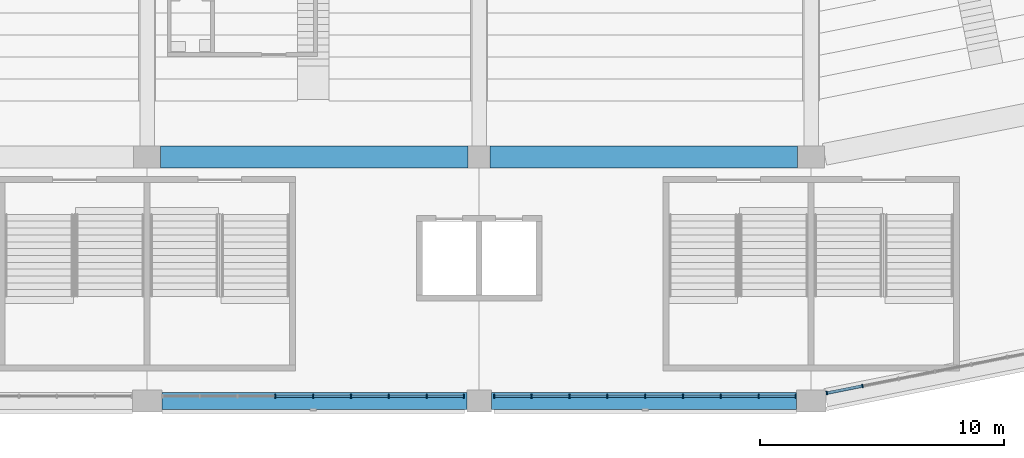
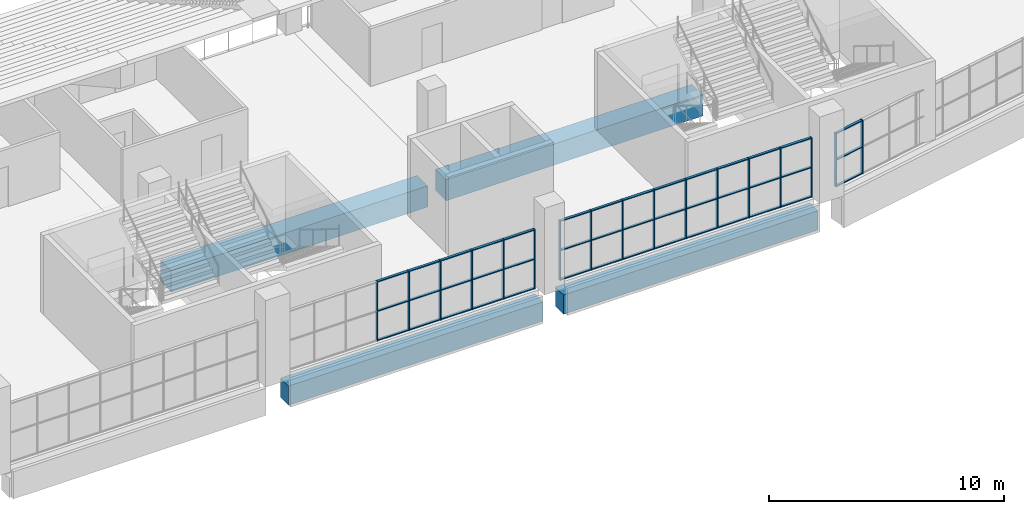
# One storey, part 15 of 249: 59 members, 4 beams, 3 elements without a shape of their own.
"""IFC4 building model written with IfcOpenShell, lengths in metres."""

from ifc_helpers import new_model, si_unit, direction, frame, origin, origin_2d, place, context, subcontext, project, spatial, rectangle, extrude, material, material_profile, profile_set, type_object, element, aggregate, save


model = new_model("IFC4")

# Units and contexts
model_context = context("Model", 3, precision=1e-05, world=origin(), true_north=direction((0.0, 1.0)))
body_context = subcontext(model_context, "Body", "Model", "MODEL_VIEW")
ifc_project = project(units=[si_unit("LENGTHUNIT", "METRE"), si_unit("AREAUNIT", "SQUARE_METRE"), si_unit("VOLUMEUNIT", "CUBIC_METRE"), si_unit("PLANEANGLEUNIT", "RADIAN"), si_unit("MASSUNIT", "GRAM", prefix="KILO")], contexts=[model_context])

# Site, building, storey
site_placement = place(None, origin())
site = spatial("IfcSite", under=ifc_project, at=site_placement, CompositionType="ELEMENT")
building_placement = place(site_placement, origin())
building = spatial("IfcBuilding", under=site, at=building_placement, Name="Ogive Plaza Stadium", CompositionType="ELEMENT")
storey_placement = place(building_placement, frame((0.0, 0.0, 13.5)))
storey = spatial("IfcBuildingStorey", under=building, at=storey_placement, Name="L03", CompositionType="ELEMENT", Elevation=13.5)

# Curtain wall, members
ifc_material_1 = material(Name="Bronze-anodised aluminium with laminated glass", Category="aluminium")
curtain_wall_type = type_object("IfcCurtainWallType", Name="Lancet curtain wall", PredefinedType="NOTDEFINED", material=ifc_material_1)
curtain_wall_1_placement = place(storey_placement, origin())
curtain_wall_1 = element("IfcCurtainWall", 1, at=curtain_wall_1_placement, inside=storey, type_object=curtain_wall_type, Name="CURTAIN WALL B11 L03", PredefinedType="NOTDEFINED")
ifc_material_2 = material(Name="Bronze-anodised aluminium", Category="aluminium")
ifc_material_profile_1 = material_profile(ifc_material_2, rectangle(XDim=0.14990234375, YDim=0.050048828125, at=origin_2d()), Name="AL 150x50")
ifc_profile_set_1 = profile_set([ifc_material_profile_1], Name="Bronze-anodised aluminium")
member_type_1 = type_object("IfcMemberType", Name="Curtain wall mullion 50x150", PredefinedType="MULLION", material=ifc_profile_set_1)
member_1_placement = place(storey_placement, frame((36.104248046875, -101.87744140625, 0.0), z_axis=(0.0, 0.0, 1.0), x_axis=(0.195090322016, -0.980785280403, 0.0)))
member_1 = element("IfcMember", 2, at=member_1_placement, type_object=member_type_1, Name="CW-B11-L03 mullion 12", PredefinedType="MULLION", context=body_context, shape_type="SweptSolid", body=[
    extrude(rectangle(XDim=0.14990234375, YDim=0.050048828125, at=origin_2d()), origin(), (0.0, 0.0, 1.0), 2.7900390625),
])
member_2_placement = place(storey_placement, frame((34.64404296875, -102.16796875, 0.0), z_axis=(0.0, 0.0, 1.0), x_axis=(0.195090322016, -0.980785280403, 0.0)))
member_2 = element("IfcMember", 3, at=member_2_placement, type_object=member_type_1, Name="CW-B11-L03 mullion 13", PredefinedType="MULLION", context=body_context, shape_type="SweptSolid", body=[
    extrude(rectangle(XDim=0.14990234375, YDim=0.050048828125, at=origin_2d()), origin(), (0.0, 0.0, 1.0), 2.7900390625),
])

curtain_wall_2_placement = place(storey_placement, origin())
curtain_wall_2 = element("IfcCurtainWall", 4, at=curtain_wall_2_placement, inside=storey, type_object=curtain_wall_type, Name="CURTAIN WALL B12 L03", PredefinedType="NOTDEFINED")
member_3_placement = place(storey_placement, frame((33.375, -102.300048828125, 0.0), z_axis=(0.0, 0.0, 1.0), x_axis=(0.0, -1.0, 0.0)))
member_3 = element("IfcMember", 5, at=member_3_placement, type_object=member_type_1, Name="CW-B12-L03 mullion 1", PredefinedType="MULLION", context=body_context, shape_type="SweptSolid", body=[
    extrude(rectangle(XDim=0.14990234375, YDim=0.050048828125, at=origin_2d()), origin(), (0.0, 0.0, 1.0), 3.090087890625),
])
member_4_placement = place(storey_placement, frame((31.85009765625, -102.300048828125, 0.0), z_axis=(0.0, 0.0, 1.0), x_axis=(0.0, -1.0, 0.0)))
member_4 = element("IfcMember", 6, at=member_4_placement, type_object=member_type_1, Name="CW-B12-L03 mullion 2", PredefinedType="MULLION", context=body_context, shape_type="SweptSolid", body=[
    extrude(rectangle(XDim=0.14990234375, YDim=0.050048828125, at=origin_2d()), origin(), (0.0, 0.0, 1.0), 3.090087890625),
])
member_5_placement = place(storey_placement, frame((30.300048828125, -102.300048828125, 0.0), z_axis=(0.0, 0.0, 1.0), x_axis=(0.0, -1.0, 0.0)))
member_5 = element("IfcMember", 7, at=member_5_placement, type_object=member_type_1, Name="CW-B12-L03 mullion 3", PredefinedType="MULLION", context=body_context, shape_type="SweptSolid", body=[
    extrude(rectangle(XDim=0.14990234375, YDim=0.050048828125, at=origin_2d()), origin(), (0.0, 0.0, 1.0), 3.090087890625),
])
member_6_placement = place(storey_placement, frame((28.75, -102.300048828125, 0.0), z_axis=(0.0, 0.0, 1.0), x_axis=(0.0, -1.0, 0.0)))
member_6 = element("IfcMember", 8, at=member_6_placement, type_object=member_type_1, Name="CW-B12-L03 mullion 4", PredefinedType="MULLION", context=body_context, shape_type="SweptSolid", body=[
    extrude(rectangle(XDim=0.14990234375, YDim=0.050048828125, at=origin_2d()), origin(), (0.0, 0.0, 1.0), 3.090087890625),
])
member_7_placement = place(storey_placement, frame((27.199951171875, -102.300048828125, 0.0), z_axis=(0.0, 0.0, 1.0), x_axis=(0.0, -1.0, 0.0)))
member_7 = element("IfcMember", 9, at=member_7_placement, type_object=member_type_1, Name="CW-B12-L03 mullion 5", PredefinedType="MULLION", context=body_context, shape_type="SweptSolid", body=[
    extrude(rectangle(XDim=0.14990234375, YDim=0.050048828125, at=origin_2d()), origin(), (0.0, 0.0, 1.0), 3.090087890625),
])
member_8_placement = place(storey_placement, frame((25.64990234375, -102.300048828125, 0.0), z_axis=(0.0, 0.0, 1.0), x_axis=(0.0, -1.0, 0.0)))
member_8 = element("IfcMember", 10, at=member_8_placement, type_object=member_type_1, Name="CW-B12-L03 mullion 6", PredefinedType="MULLION", context=body_context, shape_type="SweptSolid", body=[
    extrude(rectangle(XDim=0.14990234375, YDim=0.050048828125, at=origin_2d()), origin(), (0.0, 0.0, 1.0), 3.090087890625),
])
member_9_placement = place(storey_placement, frame((24.10009765625, -102.300048828125, 0.0), z_axis=(0.0, 0.0, 1.0), x_axis=(0.0, -1.0, 0.0)))
member_9 = element("IfcMember", 11, at=member_9_placement, type_object=member_type_1, Name="CW-B12-L03 mullion 7", PredefinedType="MULLION", context=body_context, shape_type="SweptSolid", body=[
    extrude(rectangle(XDim=0.14990234375, YDim=0.050048828125, at=origin_2d()), origin(), (0.0, 0.0, 1.0), 3.090087890625),
])
member_10_placement = place(storey_placement, frame((22.550048828125, -102.300048828125, 0.0), z_axis=(0.0, 0.0, 1.0), x_axis=(0.0, -1.0, 0.0)))
member_10 = element("IfcMember", 12, at=member_10_placement, type_object=member_type_1, Name="CW-B12-L03 mullion 8", PredefinedType="MULLION", context=body_context, shape_type="SweptSolid", body=[
    extrude(rectangle(XDim=0.14990234375, YDim=0.050048828125, at=origin_2d()), origin(), (0.0, 0.0, 1.0), 3.090087890625),
])
member_11_placement = place(storey_placement, frame((21.02490234375, -102.300048828125, 0.0), z_axis=(0.0, 0.0, 1.0), x_axis=(0.0, -1.0, 0.0)))
member_11 = element("IfcMember", 13, at=member_11_placement, type_object=member_type_1, Name="CW-B12-L03 mullion 9", PredefinedType="MULLION", context=body_context, shape_type="SweptSolid", body=[
    extrude(rectangle(XDim=0.14990234375, YDim=0.050048828125, at=origin_2d()), origin(), (0.0, 0.0, 1.0), 3.090087890625),
])

curtain_wall_3_placement = place(storey_placement, origin())
curtain_wall_3 = element("IfcCurtainWall", 14, at=curtain_wall_3_placement, inside=storey, type_object=curtain_wall_type, Name="CURTAIN WALL B13 L03", PredefinedType="NOTDEFINED")
member_12_placement = place(storey_placement, frame((19.77490234375, -102.300048828125, 0.0), z_axis=(0.0, 0.0, 1.0), x_axis=(0.0, -1.0, 0.0)))
member_12 = element("IfcMember", 15, at=member_12_placement, type_object=member_type_1, Name="CW-B13-L03 mullion 1", PredefinedType="MULLION", context=body_context, shape_type="SweptSolid", body=[
    extrude(rectangle(XDim=0.14990234375, YDim=0.050048828125, at=origin_2d()), origin(), (0.0, 0.0, 1.0), 3.090087890625),
])
member_13_placement = place(storey_placement, frame((18.25, -102.300048828125, 0.0), z_axis=(0.0, 0.0, 1.0), x_axis=(0.0, -1.0, 0.0)))
member_13 = element("IfcMember", 16, at=member_13_placement, type_object=member_type_1, Name="CW-B13-L03 mullion 2", PredefinedType="MULLION", context=body_context, shape_type="SweptSolid", body=[
    extrude(rectangle(XDim=0.14990234375, YDim=0.050048828125, at=origin_2d()), origin(), (0.0, 0.0, 1.0), 3.090087890625),
])
member_14_placement = place(storey_placement, frame((16.699951171875, -102.300048828125, 0.0), z_axis=(0.0, 0.0, 1.0), x_axis=(0.0, -1.0, 0.0)))
member_14 = element("IfcMember", 17, at=member_14_placement, type_object=member_type_1, Name="CW-B13-L03 mullion 3", PredefinedType="MULLION", context=body_context, shape_type="SweptSolid", body=[
    extrude(rectangle(XDim=0.14990234375, YDim=0.050048828125, at=origin_2d()), origin(), (0.0, 0.0, 1.0), 3.090087890625),
])
member_15_placement = place(storey_placement, frame((15.14990234375, -102.300048828125, 0.0), z_axis=(0.0, 0.0, 1.0), x_axis=(0.0, -1.0, 0.0)))
member_15 = element("IfcMember", 18, at=member_15_placement, type_object=member_type_1, Name="CW-B13-L03 mullion 4", PredefinedType="MULLION", context=body_context, shape_type="SweptSolid", body=[
    extrude(rectangle(XDim=0.14990234375, YDim=0.050048828125, at=origin_2d()), origin(), (0.0, 0.0, 1.0), 3.090087890625),
])
member_16_placement = place(storey_placement, frame((13.60009765625, -102.300048828125, 0.0), z_axis=(0.0, 0.0, 1.0), x_axis=(0.0, -1.0, 0.0)))
member_16 = element("IfcMember", 19, at=member_16_placement, type_object=member_type_1, Name="CW-B13-L03 mullion 5", PredefinedType="MULLION", context=body_context, shape_type="SweptSolid", body=[
    extrude(rectangle(XDim=0.14990234375, YDim=0.050048828125, at=origin_2d()), origin(), (0.0, 0.0, 1.0), 3.090087890625),
])
member_17_placement = place(storey_placement, frame((12.050048828125, -102.300048828125, 0.0), z_axis=(0.0, 0.0, 1.0), x_axis=(0.0, -1.0, 0.0)))
member_17 = element("IfcMember", 20, at=member_17_placement, type_object=member_type_1, Name="CW-B13-L03 mullion 6", PredefinedType="MULLION", context=body_context, shape_type="SweptSolid", body=[
    extrude(rectangle(XDim=0.14990234375, YDim=0.050048828125, at=origin_2d()), origin(), (0.0, 0.0, 1.0), 3.090087890625),
])

# Member
ifc_material_3 = material(Name="Bronze-anodised aluminium", Category="aluminium")
ifc_material_profile_2 = material_profile(ifc_material_3, rectangle(XDim=0.1201171875, YDim=0.050048828125, at=origin_2d()), Name="AL 120x50")
ifc_profile_set_2 = profile_set([ifc_material_profile_2], Name="Bronze-anodised aluminium")
member_type_2 = type_object("IfcMemberType", Name="Curtain wall transom 50x120", PredefinedType="USERDEFINED", material=ifc_profile_set_2)
member_18_placement = place(storey_placement, frame((36.079833984375, -101.88232421875, 0.02490234375), z_axis=(-0.980782436465, -0.195104618913, 0.0), x_axis=(0.195104618913, -0.980782436465, 0.0)))
member_18 = element("IfcMember", 21, at=member_18_placement, type_object=member_type_2, Name="CW-B11-L03 transom 12.1", ObjectType="TRANSOM", PredefinedType="USERDEFINED", context=body_context, shape_type="SweptSolid", body=[
    extrude(rectangle(XDim=0.1201171875, YDim=0.050048828125, at=origin_2d()), origin(), (0.0, 0.0, 1.0), 1.43896484375),
])

member_19_placement = place(storey_placement, frame((36.079833984375, -101.88232421875, 1.39501953125), z_axis=(-0.980782436465, -0.195104618913, 0.0), x_axis=(0.195104618913, -0.980782436465, 0.0)))
member_19 = element("IfcMember", 22, at=member_19_placement, type_object=member_type_2, Name="CW-B11-L03 transom 12.2", ObjectType="TRANSOM", PredefinedType="USERDEFINED", context=body_context, shape_type="SweptSolid", body=[
    extrude(rectangle(XDim=0.1201171875, YDim=0.050048828125, at=origin_2d()), origin(), (0.0, 0.0, 1.0), 1.43896484375),
])

member_20_placement = place(storey_placement, frame((36.079833984375, -101.88232421875, 2.764892578125), z_axis=(-0.980782436465, -0.195104618913, 0.0), x_axis=(0.195104618913, -0.980782436465, 0.0)))
member_20 = element("IfcMember", 23, at=member_20_placement, type_object=member_type_2, Name="CW-B11-L03 transom 12.3", ObjectType="TRANSOM", PredefinedType="USERDEFINED", context=body_context, shape_type="SweptSolid", body=[
    extrude(rectangle(XDim=0.1201171875, YDim=0.050048828125, at=origin_2d()), origin(), (0.0, 0.0, 1.0), 1.43896484375),
])

aggregate(curtain_wall_1, [member_1, member_2, member_18, member_19, member_20])

member_21_placement = place(storey_placement, frame((33.35009765625, -102.300048828125, 0.02490234375), z_axis=(-1.0, 0.0, 0.0), x_axis=(0.0, -1.0, 0.0)))
member_21 = element("IfcMember", 24, at=member_21_placement, type_object=member_type_2, Name="CW-B12-L03 transom 1.1", ObjectType="TRANSOM", PredefinedType="USERDEFINED", context=body_context, shape_type="SweptSolid", body=[
    extrude(rectangle(XDim=0.1201171875, YDim=0.050048828125, at=origin_2d()), origin(), (0.0, 0.0, 1.0), 1.47509765625),
])

member_22_placement = place(storey_placement, frame((33.35009765625, -102.300048828125, 1.544921875), z_axis=(-1.0, 0.0, 0.0), x_axis=(0.0, -1.0, 0.0)))
member_22 = element("IfcMember", 25, at=member_22_placement, type_object=member_type_2, Name="CW-B12-L03 transom 1.2", ObjectType="TRANSOM", PredefinedType="USERDEFINED", context=body_context, shape_type="SweptSolid", body=[
    extrude(rectangle(XDim=0.1201171875, YDim=0.050048828125, at=origin_2d()), origin(), (0.0, 0.0, 1.0), 1.47509765625),
])

member_23_placement = place(storey_placement, frame((33.35009765625, -102.300048828125, 3.06494140625), z_axis=(-1.0, 0.0, 0.0), x_axis=(0.0, -1.0, 0.0)))
member_23 = element("IfcMember", 26, at=member_23_placement, type_object=member_type_2, Name="CW-B12-L03 transom 1.3", ObjectType="TRANSOM", PredefinedType="USERDEFINED", context=body_context, shape_type="SweptSolid", body=[
    extrude(rectangle(XDim=0.1201171875, YDim=0.050048828125, at=origin_2d()), origin(), (0.0, 0.0, 1.0), 1.47509765625),
])

member_24_placement = place(storey_placement, frame((31.824951171875, -102.300048828125, 0.02490234375), z_axis=(-1.0, 0.0, 0.0), x_axis=(0.0, -1.0, 0.0)))
member_24 = element("IfcMember", 27, at=member_24_placement, type_object=member_type_2, Name="CW-B12-L03 transom 2.1", ObjectType="TRANSOM", PredefinedType="USERDEFINED", context=body_context, shape_type="SweptSolid", body=[
    extrude(rectangle(XDim=0.1201171875, YDim=0.050048828125, at=origin_2d()), origin(), (0.0, 0.0, 1.0), 1.5),
])

member_25_placement = place(storey_placement, frame((31.824951171875, -102.300048828125, 1.544921875), z_axis=(-1.0, 0.0, 0.0), x_axis=(0.0, -1.0, 0.0)))
member_25 = element("IfcMember", 28, at=member_25_placement, type_object=member_type_2, Name="CW-B12-L03 transom 2.2", ObjectType="TRANSOM", PredefinedType="USERDEFINED", context=body_context, shape_type="SweptSolid", body=[
    extrude(rectangle(XDim=0.1201171875, YDim=0.050048828125, at=origin_2d()), origin(), (0.0, 0.0, 1.0), 1.5),
])

member_26_placement = place(storey_placement, frame((31.824951171875, -102.300048828125, 3.06494140625), z_axis=(-1.0, 0.0, 0.0), x_axis=(0.0, -1.0, 0.0)))
member_26 = element("IfcMember", 29, at=member_26_placement, type_object=member_type_2, Name="CW-B12-L03 transom 2.3", ObjectType="TRANSOM", PredefinedType="USERDEFINED", context=body_context, shape_type="SweptSolid", body=[
    extrude(rectangle(XDim=0.1201171875, YDim=0.050048828125, at=origin_2d()), origin(), (0.0, 0.0, 1.0), 1.5),
])

member_27_placement = place(storey_placement, frame((30.27490234375, -102.300048828125, 0.02490234375), z_axis=(-1.0, 0.0, 0.0), x_axis=(0.0, -1.0, 0.0)))
member_27 = element("IfcMember", 30, at=member_27_placement, type_object=member_type_2, Name="CW-B12-L03 transom 3.1", ObjectType="TRANSOM", PredefinedType="USERDEFINED", context=body_context, shape_type="SweptSolid", body=[
    extrude(rectangle(XDim=0.1201171875, YDim=0.050048828125, at=origin_2d()), origin(), (0.0, 0.0, 1.0), 1.5),
])

member_28_placement = place(storey_placement, frame((30.27490234375, -102.300048828125, 1.544921875), z_axis=(-1.0, 0.0, 0.0), x_axis=(0.0, -1.0, 0.0)))
member_28 = element("IfcMember", 31, at=member_28_placement, type_object=member_type_2, Name="CW-B12-L03 transom 3.2", ObjectType="TRANSOM", PredefinedType="USERDEFINED", context=body_context, shape_type="SweptSolid", body=[
    extrude(rectangle(XDim=0.1201171875, YDim=0.050048828125, at=origin_2d()), origin(), (0.0, 0.0, 1.0), 1.5),
])

member_29_placement = place(storey_placement, frame((30.27490234375, -102.300048828125, 3.06494140625), z_axis=(-1.0, 0.0, 0.0), x_axis=(0.0, -1.0, 0.0)))
member_29 = element("IfcMember", 32, at=member_29_placement, type_object=member_type_2, Name="CW-B12-L03 transom 3.3", ObjectType="TRANSOM", PredefinedType="USERDEFINED", context=body_context, shape_type="SweptSolid", body=[
    extrude(rectangle(XDim=0.1201171875, YDim=0.050048828125, at=origin_2d()), origin(), (0.0, 0.0, 1.0), 1.5),
])

member_30_placement = place(storey_placement, frame((28.72509765625, -102.300048828125, 0.02490234375), z_axis=(-1.0, 0.0, 0.0), x_axis=(0.0, -1.0, 0.0)))
member_30 = element("IfcMember", 33, at=member_30_placement, type_object=member_type_2, Name="CW-B12-L03 transom 4.1", ObjectType="TRANSOM", PredefinedType="USERDEFINED", context=body_context, shape_type="SweptSolid", body=[
    extrude(rectangle(XDim=0.1201171875, YDim=0.050048828125, at=origin_2d()), origin(), (0.0, 0.0, 1.0), 1.5),
])

member_31_placement = place(storey_placement, frame((28.72509765625, -102.300048828125, 1.544921875), z_axis=(-1.0, 0.0, 0.0), x_axis=(0.0, -1.0, 0.0)))
member_31 = element("IfcMember", 34, at=member_31_placement, type_object=member_type_2, Name="CW-B12-L03 transom 4.2", ObjectType="TRANSOM", PredefinedType="USERDEFINED", context=body_context, shape_type="SweptSolid", body=[
    extrude(rectangle(XDim=0.1201171875, YDim=0.050048828125, at=origin_2d()), origin(), (0.0, 0.0, 1.0), 1.5),
])

member_32_placement = place(storey_placement, frame((28.72509765625, -102.300048828125, 3.06494140625), z_axis=(-1.0, 0.0, 0.0), x_axis=(0.0, -1.0, 0.0)))
member_32 = element("IfcMember", 35, at=member_32_placement, type_object=member_type_2, Name="CW-B12-L03 transom 4.3", ObjectType="TRANSOM", PredefinedType="USERDEFINED", context=body_context, shape_type="SweptSolid", body=[
    extrude(rectangle(XDim=0.1201171875, YDim=0.050048828125, at=origin_2d()), origin(), (0.0, 0.0, 1.0), 1.5),
])

member_33_placement = place(storey_placement, frame((27.175048828125, -102.300048828125, 0.02490234375), z_axis=(-1.0, 0.0, 0.0), x_axis=(0.0, -1.0, 0.0)))
member_33 = element("IfcMember", 36, at=member_33_placement, type_object=member_type_2, Name="CW-B12-L03 transom 5.1", ObjectType="TRANSOM", PredefinedType="USERDEFINED", context=body_context, shape_type="SweptSolid", body=[
    extrude(rectangle(XDim=0.1201171875, YDim=0.050048828125, at=origin_2d()), origin(), (0.0, 0.0, 1.0), 1.5),
])

member_34_placement = place(storey_placement, frame((27.175048828125, -102.300048828125, 1.544921875), z_axis=(-1.0, 0.0, 0.0), x_axis=(0.0, -1.0, 0.0)))
member_34 = element("IfcMember", 37, at=member_34_placement, type_object=member_type_2, Name="CW-B12-L03 transom 5.2", ObjectType="TRANSOM", PredefinedType="USERDEFINED", context=body_context, shape_type="SweptSolid", body=[
    extrude(rectangle(XDim=0.1201171875, YDim=0.050048828125, at=origin_2d()), origin(), (0.0, 0.0, 1.0), 1.5),
])

member_35_placement = place(storey_placement, frame((27.175048828125, -102.300048828125, 3.06494140625), z_axis=(-1.0, 0.0, 0.0), x_axis=(0.0, -1.0, 0.0)))
member_35 = element("IfcMember", 38, at=member_35_placement, type_object=member_type_2, Name="CW-B12-L03 transom 5.3", ObjectType="TRANSOM", PredefinedType="USERDEFINED", context=body_context, shape_type="SweptSolid", body=[
    extrude(rectangle(XDim=0.1201171875, YDim=0.050048828125, at=origin_2d()), origin(), (0.0, 0.0, 1.0), 1.5),
])

member_36_placement = place(storey_placement, frame((25.625, -102.300048828125, 0.02490234375), z_axis=(-1.0, 0.0, 0.0), x_axis=(0.0, -1.0, 0.0)))
member_36 = element("IfcMember", 39, at=member_36_placement, type_object=member_type_2, Name="CW-B12-L03 transom 6.1", ObjectType="TRANSOM", PredefinedType="USERDEFINED", context=body_context, shape_type="SweptSolid", body=[
    extrude(rectangle(XDim=0.1201171875, YDim=0.050048828125, at=origin_2d()), origin(), (0.0, 0.0, 1.0), 1.5),
])

member_37_placement = place(storey_placement, frame((25.625, -102.300048828125, 1.544921875), z_axis=(-1.0, 0.0, 0.0), x_axis=(0.0, -1.0, 0.0)))
member_37 = element("IfcMember", 40, at=member_37_placement, type_object=member_type_2, Name="CW-B12-L03 transom 6.2", ObjectType="TRANSOM", PredefinedType="USERDEFINED", context=body_context, shape_type="SweptSolid", body=[
    extrude(rectangle(XDim=0.1201171875, YDim=0.050048828125, at=origin_2d()), origin(), (0.0, 0.0, 1.0), 1.5),
])

member_38_placement = place(storey_placement, frame((25.625, -102.300048828125, 3.06494140625), z_axis=(-1.0, 0.0, 0.0), x_axis=(0.0, -1.0, 0.0)))
member_38 = element("IfcMember", 41, at=member_38_placement, type_object=member_type_2, Name="CW-B12-L03 transom 6.3", ObjectType="TRANSOM", PredefinedType="USERDEFINED", context=body_context, shape_type="SweptSolid", body=[
    extrude(rectangle(XDim=0.1201171875, YDim=0.050048828125, at=origin_2d()), origin(), (0.0, 0.0, 1.0), 1.5),
])

member_39_placement = place(storey_placement, frame((24.074951171875, -102.300048828125, 0.02490234375), z_axis=(-1.0, 0.0, 0.0), x_axis=(0.0, -1.0, 0.0)))
member_39 = element("IfcMember", 42, at=member_39_placement, type_object=member_type_2, Name="CW-B12-L03 transom 7.1", ObjectType="TRANSOM", PredefinedType="USERDEFINED", context=body_context, shape_type="SweptSolid", body=[
    extrude(rectangle(XDim=0.1201171875, YDim=0.050048828125, at=origin_2d()), origin(), (0.0, 0.0, 1.0), 1.5),
])

member_40_placement = place(storey_placement, frame((24.074951171875, -102.300048828125, 1.544921875), z_axis=(-1.0, 0.0, 0.0), x_axis=(0.0, -1.0, 0.0)))
member_40 = element("IfcMember", 43, at=member_40_placement, type_object=member_type_2, Name="CW-B12-L03 transom 7.2", ObjectType="TRANSOM", PredefinedType="USERDEFINED", context=body_context, shape_type="SweptSolid", body=[
    extrude(rectangle(XDim=0.1201171875, YDim=0.050048828125, at=origin_2d()), origin(), (0.0, 0.0, 1.0), 1.5),
])

member_41_placement = place(storey_placement, frame((24.074951171875, -102.300048828125, 3.06494140625), z_axis=(-1.0, 0.0, 0.0), x_axis=(0.0, -1.0, 0.0)))
member_41 = element("IfcMember", 44, at=member_41_placement, type_object=member_type_2, Name="CW-B12-L03 transom 7.3", ObjectType="TRANSOM", PredefinedType="USERDEFINED", context=body_context, shape_type="SweptSolid", body=[
    extrude(rectangle(XDim=0.1201171875, YDim=0.050048828125, at=origin_2d()), origin(), (0.0, 0.0, 1.0), 1.5),
])

member_42_placement = place(storey_placement, frame((22.52490234375, -102.300048828125, 0.02490234375), z_axis=(-1.0, 0.0, 0.0), x_axis=(0.0, -1.0, 0.0)))
member_42 = element("IfcMember", 45, at=member_42_placement, type_object=member_type_2, Name="CW-B12-L03 transom 8.1", ObjectType="TRANSOM", PredefinedType="USERDEFINED", context=body_context, shape_type="SweptSolid", body=[
    extrude(rectangle(XDim=0.1201171875, YDim=0.050048828125, at=origin_2d()), origin(), (0.0, 0.0, 1.0), 1.474853515625),
])

member_43_placement = place(storey_placement, frame((22.52490234375, -102.300048828125, 1.544921875), z_axis=(-1.0, 0.0, 0.0), x_axis=(0.0, -1.0, 0.0)))
member_43 = element("IfcMember", 46, at=member_43_placement, type_object=member_type_2, Name="CW-B12-L03 transom 8.2", ObjectType="TRANSOM", PredefinedType="USERDEFINED", context=body_context, shape_type="SweptSolid", body=[
    extrude(rectangle(XDim=0.1201171875, YDim=0.050048828125, at=origin_2d()), origin(), (0.0, 0.0, 1.0), 1.474853515625),
])

member_44_placement = place(storey_placement, frame((22.52490234375, -102.300048828125, 3.06494140625), z_axis=(-1.0, 0.0, 0.0), x_axis=(0.0, -1.0, 0.0)))
member_44 = element("IfcMember", 47, at=member_44_placement, type_object=member_type_2, Name="CW-B12-L03 transom 8.3", ObjectType="TRANSOM", PredefinedType="USERDEFINED", context=body_context, shape_type="SweptSolid", body=[
    extrude(rectangle(XDim=0.1201171875, YDim=0.050048828125, at=origin_2d()), origin(), (0.0, 0.0, 1.0), 1.474853515625),
])

aggregate(curtain_wall_2, [member_3, member_4, member_5, member_6, member_7, member_8, member_9, member_10, member_11, member_21, member_22, member_23, member_24, member_25, member_26, member_27, member_28, member_29, member_30, member_31, member_32, member_33, member_34, member_35, member_36, member_37, member_38, member_39, member_40, member_41, member_42, member_43, member_44])

member_45_placement = place(storey_placement, frame((19.75, -102.300048828125, 0.02490234375), z_axis=(-1.0, 0.0, 0.0), x_axis=(0.0, -1.0, 0.0)))
member_45 = element("IfcMember", 48, at=member_45_placement, type_object=member_type_2, Name="CW-B13-L03 transom 1.1", ObjectType="TRANSOM", PredefinedType="USERDEFINED", context=body_context, shape_type="SweptSolid", body=[
    extrude(rectangle(XDim=0.1201171875, YDim=0.050048828125, at=origin_2d()), origin(), (0.0, 0.0, 1.0), 1.47509765625),
])

member_46_placement = place(storey_placement, frame((19.75, -102.300048828125, 1.544921875), z_axis=(-1.0, 0.0, 0.0), x_axis=(0.0, -1.0, 0.0)))
member_46 = element("IfcMember", 49, at=member_46_placement, type_object=member_type_2, Name="CW-B13-L03 transom 1.2", ObjectType="TRANSOM", PredefinedType="USERDEFINED", context=body_context, shape_type="SweptSolid", body=[
    extrude(rectangle(XDim=0.1201171875, YDim=0.050048828125, at=origin_2d()), origin(), (0.0, 0.0, 1.0), 1.47509765625),
])

member_47_placement = place(storey_placement, frame((19.75, -102.300048828125, 3.06494140625), z_axis=(-1.0, 0.0, 0.0), x_axis=(0.0, -1.0, 0.0)))
member_47 = element("IfcMember", 50, at=member_47_placement, type_object=member_type_2, Name="CW-B13-L03 transom 1.3", ObjectType="TRANSOM", PredefinedType="USERDEFINED", context=body_context, shape_type="SweptSolid", body=[
    extrude(rectangle(XDim=0.1201171875, YDim=0.050048828125, at=origin_2d()), origin(), (0.0, 0.0, 1.0), 1.47509765625),
])

member_48_placement = place(storey_placement, frame((18.22509765625, -102.300048828125, 0.02490234375), z_axis=(-1.0, 0.0, 0.0), x_axis=(0.0, -1.0, 0.0)))
member_48 = element("IfcMember", 51, at=member_48_placement, type_object=member_type_2, Name="CW-B13-L03 transom 2.1", ObjectType="TRANSOM", PredefinedType="USERDEFINED", context=body_context, shape_type="SweptSolid", body=[
    extrude(rectangle(XDim=0.1201171875, YDim=0.050048828125, at=origin_2d()), origin(), (0.0, 0.0, 1.0), 1.5),
])

member_49_placement = place(storey_placement, frame((18.22509765625, -102.300048828125, 1.544921875), z_axis=(-1.0, 0.0, 0.0), x_axis=(0.0, -1.0, 0.0)))
member_49 = element("IfcMember", 52, at=member_49_placement, type_object=member_type_2, Name="CW-B13-L03 transom 2.2", ObjectType="TRANSOM", PredefinedType="USERDEFINED", context=body_context, shape_type="SweptSolid", body=[
    extrude(rectangle(XDim=0.1201171875, YDim=0.050048828125, at=origin_2d()), origin(), (0.0, 0.0, 1.0), 1.5),
])

member_50_placement = place(storey_placement, frame((18.22509765625, -102.300048828125, 3.06494140625), z_axis=(-1.0, 0.0, 0.0), x_axis=(0.0, -1.0, 0.0)))
member_50 = element("IfcMember", 53, at=member_50_placement, type_object=member_type_2, Name="CW-B13-L03 transom 2.3", ObjectType="TRANSOM", PredefinedType="USERDEFINED", context=body_context, shape_type="SweptSolid", body=[
    extrude(rectangle(XDim=0.1201171875, YDim=0.050048828125, at=origin_2d()), origin(), (0.0, 0.0, 1.0), 1.5),
])

member_51_placement = place(storey_placement, frame((16.675048828125, -102.300048828125, 0.02490234375), z_axis=(-1.0, 0.0, 0.0), x_axis=(0.0, -1.0, 0.0)))
member_51 = element("IfcMember", 54, at=member_51_placement, type_object=member_type_2, Name="CW-B13-L03 transom 3.1", ObjectType="TRANSOM", PredefinedType="USERDEFINED", context=body_context, shape_type="SweptSolid", body=[
    extrude(rectangle(XDim=0.1201171875, YDim=0.050048828125, at=origin_2d()), origin(), (0.0, 0.0, 1.0), 1.5),
])

member_52_placement = place(storey_placement, frame((16.675048828125, -102.300048828125, 1.544921875), z_axis=(-1.0, 0.0, 0.0), x_axis=(0.0, -1.0, 0.0)))
member_52 = element("IfcMember", 55, at=member_52_placement, type_object=member_type_2, Name="CW-B13-L03 transom 3.2", ObjectType="TRANSOM", PredefinedType="USERDEFINED", context=body_context, shape_type="SweptSolid", body=[
    extrude(rectangle(XDim=0.1201171875, YDim=0.050048828125, at=origin_2d()), origin(), (0.0, 0.0, 1.0), 1.5),
])

member_53_placement = place(storey_placement, frame((16.675048828125, -102.300048828125, 3.06494140625), z_axis=(-1.0, 0.0, 0.0), x_axis=(0.0, -1.0, 0.0)))
member_53 = element("IfcMember", 56, at=member_53_placement, type_object=member_type_2, Name="CW-B13-L03 transom 3.3", ObjectType="TRANSOM", PredefinedType="USERDEFINED", context=body_context, shape_type="SweptSolid", body=[
    extrude(rectangle(XDim=0.1201171875, YDim=0.050048828125, at=origin_2d()), origin(), (0.0, 0.0, 1.0), 1.5),
])

member_54_placement = place(storey_placement, frame((15.125, -102.300048828125, 0.02490234375), z_axis=(-1.0, 0.0, 0.0), x_axis=(0.0, -1.0, 0.0)))
member_54 = element("IfcMember", 57, at=member_54_placement, type_object=member_type_2, Name="CW-B13-L03 transom 4.1", ObjectType="TRANSOM", PredefinedType="USERDEFINED", context=body_context, shape_type="SweptSolid", body=[
    extrude(rectangle(XDim=0.1201171875, YDim=0.050048828125, at=origin_2d()), origin(), (0.0, 0.0, 1.0), 1.5),
])

member_55_placement = place(storey_placement, frame((15.125, -102.300048828125, 1.544921875), z_axis=(-1.0, 0.0, 0.0), x_axis=(0.0, -1.0, 0.0)))
member_55 = element("IfcMember", 58, at=member_55_placement, type_object=member_type_2, Name="CW-B13-L03 transom 4.2", ObjectType="TRANSOM", PredefinedType="USERDEFINED", context=body_context, shape_type="SweptSolid", body=[
    extrude(rectangle(XDim=0.1201171875, YDim=0.050048828125, at=origin_2d()), origin(), (0.0, 0.0, 1.0), 1.5),
])

member_56_placement = place(storey_placement, frame((15.125, -102.300048828125, 3.06494140625), z_axis=(-1.0, 0.0, 0.0), x_axis=(0.0, -1.0, 0.0)))
member_56 = element("IfcMember", 59, at=member_56_placement, type_object=member_type_2, Name="CW-B13-L03 transom 4.3", ObjectType="TRANSOM", PredefinedType="USERDEFINED", context=body_context, shape_type="SweptSolid", body=[
    extrude(rectangle(XDim=0.1201171875, YDim=0.050048828125, at=origin_2d()), origin(), (0.0, 0.0, 1.0), 1.5),
])

member_57_placement = place(storey_placement, frame((13.574951171875, -102.300048828125, 0.02490234375), z_axis=(-1.0, 0.0, 0.0), x_axis=(0.0, -1.0, 0.0)))
member_57 = element("IfcMember", 60, at=member_57_placement, type_object=member_type_2, Name="CW-B13-L03 transom 5.1", ObjectType="TRANSOM", PredefinedType="USERDEFINED", context=body_context, shape_type="SweptSolid", body=[
    extrude(rectangle(XDim=0.1201171875, YDim=0.050048828125, at=origin_2d()), origin(), (0.0, 0.0, 1.0), 1.5),
])

member_58_placement = place(storey_placement, frame((13.574951171875, -102.300048828125, 1.544921875), z_axis=(-1.0, 0.0, 0.0), x_axis=(0.0, -1.0, 0.0)))
member_58 = element("IfcMember", 61, at=member_58_placement, type_object=member_type_2, Name="CW-B13-L03 transom 5.2", ObjectType="TRANSOM", PredefinedType="USERDEFINED", context=body_context, shape_type="SweptSolid", body=[
    extrude(rectangle(XDim=0.1201171875, YDim=0.050048828125, at=origin_2d()), origin(), (0.0, 0.0, 1.0), 1.5),
])

member_59_placement = place(storey_placement, frame((13.574951171875, -102.300048828125, 3.06494140625), z_axis=(-1.0, 0.0, 0.0), x_axis=(0.0, -1.0, 0.0)))
member_59 = element("IfcMember", 62, at=member_59_placement, type_object=member_type_2, Name="CW-B13-L03 transom 5.3", ObjectType="TRANSOM", PredefinedType="USERDEFINED", context=body_context, shape_type="SweptSolid", body=[
    extrude(rectangle(XDim=0.1201171875, YDim=0.050048828125, at=origin_2d()), origin(), (0.0, 0.0, 1.0), 1.5),
])

aggregate(curtain_wall_3, [member_12, member_13, member_14, member_15, member_16, member_17, member_45, member_46, member_47, member_48, member_49, member_50, member_51, member_52, member_53, member_54, member_55, member_56, member_57, member_58, member_59])

# Beams
ifc_material_4 = material(Name="Concrete C40/50", Category="concrete")
ifc_material_profile_3 = material_profile(ifc_material_4, rectangle(XDim=0.89990234375, YDim=1.10009765625, at=origin_2d()), Name="RC 900x1100")
ifc_profile_set_3 = profile_set([ifc_material_profile_3], Name="Concrete C40/50")
beam_type_1 = type_object("IfcBeamType", Name="RC ring beam 900x1100", PredefinedType="BEAM", material=ifc_profile_set_3)
for number, where, z_axis, x_axis, name in (
    (63, (33.449951171875, -92.5, -0.9599609375), (-1.0, 0.0, 0.0), (0.0, -1.0, 0.0), "Ring beam F4 L03 B12"),
    (64, (19.949951171875, -92.5, -0.9599609375), (-1.0, 0.0, 0.0), (0.0, -1.0, 0.0), "Ring beam F4 L03 B13"),
):
    element("IfcBeam", number, at=place(storey_placement, frame(where, z_axis=z_axis, x_axis=x_axis)), inside=storey, type_object=beam_type_1, Name=name, PredefinedType="BEAM", context=body_context, shape_type="SweptSolid", body=[
        extrude(rectangle(XDim=0.89990234375, YDim=1.10009765625, at=origin_2d()), origin(), (0.0, 0.0, 1.0), 12.599853515625),
    ])
ifc_material_5 = material(Name="Concrete C40/50", Category="concrete")
ifc_material_profile_4 = material_profile(ifc_material_5, rectangle(XDim=0.699951171875, YDim=1.0, at=origin_2d()), Name="RC 700x1000")
ifc_profile_set_4 = profile_set([ifc_material_profile_4], Name="Concrete C40/50")
beam_type_2 = type_object("IfcBeamType", Name="RC spandrel beam 700x1000", PredefinedType="SPANDREL", material=ifc_profile_set_4)
for number, where, z_axis, x_axis, name in (
    (65, (33.39990234375, -102.5, -0.909912109375), (-1.0, 0.0, 0.0), (0.0, -1.0, 0.0), "Ring beam F5 L03 B12"),
    (66, (19.89990234375, -102.5, -0.909912109375), (-1.0, 0.0, 0.0), (0.0, -1.0, 0.0), "Ring beam F5 L03 B13"),
):
    element("IfcBeam", number, at=place(storey_placement, frame(where, z_axis=z_axis, x_axis=x_axis)), inside=storey, type_object=beam_type_2, Name=name, PredefinedType="SPANDREL", context=body_context, shape_type="SweptSolid", body=[
        extrude(rectangle(XDim=0.699951171875, YDim=1.0, at=origin_2d()), origin(), (0.0, 0.0, 1.0), 12.5),
    ])

save(model, "model.ifc")
